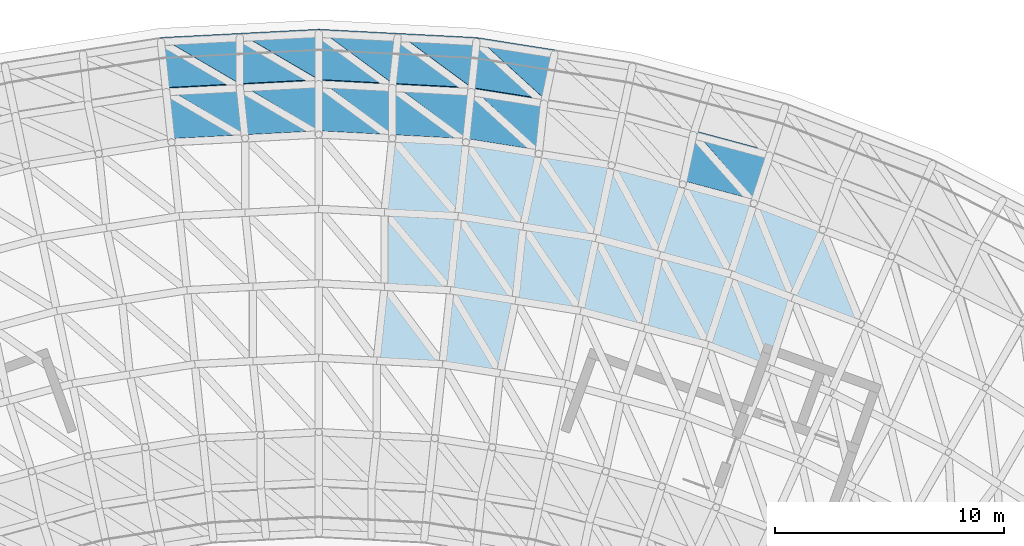
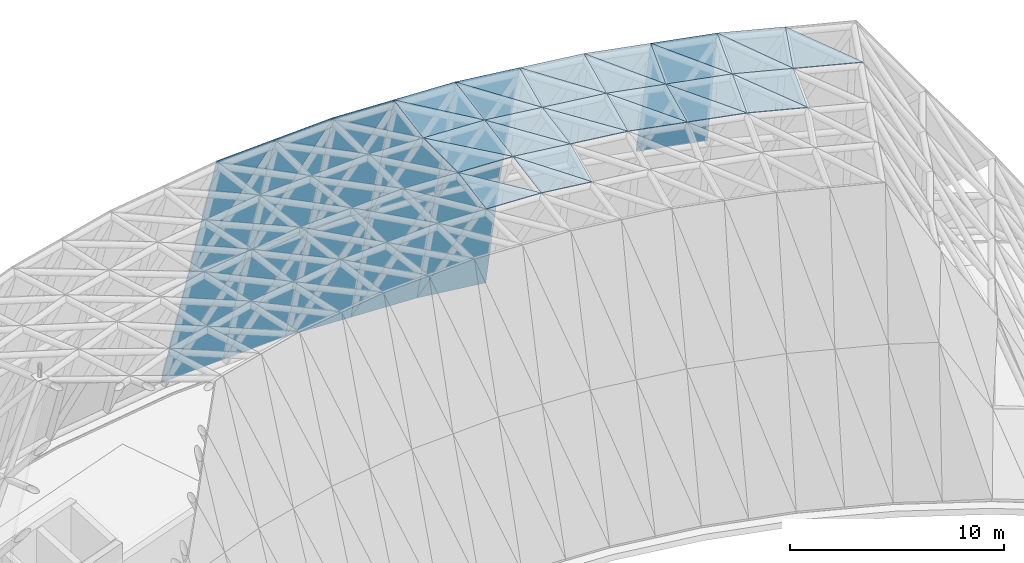
# One storey, part 17 of 20: 50 plates, 23 elements without a shape of their own.
"""IFC4 building model written with IfcOpenShell, lengths in metres."""

from ifc_helpers import new_model, si_unit, direction, frame, origin, place, context, subcontext, project, spatial, polyline, outline, extrude, material, layer, layer_set, type_object, element, aggregate, save


model = new_model("IFC4")

# Units and contexts
model_context = context("Model", 3, precision=1e-05, world=origin(), true_north=direction((0.0, 1.0)))
body_context = subcontext(model_context, "Body", "Model", "MODEL_VIEW")
ifc_project = project(units=[si_unit("LENGTHUNIT", "METRE"), si_unit("AREAUNIT", "SQUARE_METRE"), si_unit("VOLUMEUNIT", "CUBIC_METRE"), si_unit("PLANEANGLEUNIT", "RADIAN"), si_unit("MASSUNIT", "GRAM", prefix="KILO")], contexts=[model_context])

# Site, building, storey
site_placement = place(None, origin())
site = spatial("IfcSite", under=ifc_project, at=site_placement, CompositionType="ELEMENT")
building_placement = place(site_placement, origin())
building = spatial("IfcBuilding", under=site, at=building_placement, Name="Stone Belt Terrace Tower", CompositionType="ELEMENT")
storey_placement = place(building_placement, frame((0.0, 0.0, 337.39990234375)))
storey = spatial("IfcBuildingStorey", under=building, at=storey_placement, Name="RF", CompositionType="ELEMENT", Elevation=337.39990234375)

# Curtain wall, plate
ifc_material_1 = material(Name="Structural steel C345", Category="steel")
ifc_layer_1 = layer(ifc_material_1, 0.324951171875)
ifc_layer_set_1 = layer_set([ifc_layer_1], Name="CW-F glass point curtain wall")
curtain_wall_type = type_object("IfcCurtainWallType", Name="CW-F glass point curtain wall", PredefinedType="NOTDEFINED", material=ifc_layer_set_1)
curtain_wall_1_placement = place(storey_placement, origin())
curtain_wall_1 = element("IfcCurtainWall", 1, at=curtain_wall_1_placement, inside=storey, type_object=curtain_wall_type, Name="CW-F glass point panels 3", PredefinedType="NOTDEFINED")
ifc_material_2 = material(Name="Clear double glazed unit")
ifc_layer_2 = layer(ifc_material_2, 0.044921875)
ifc_layer_set_2 = layer_set([ifc_layer_2], Name="Glass point facet panel 45")
plate_type = type_object("IfcPlateType", Name="Glass point facet panel 45", PredefinedType="CURTAIN_PANEL", material=ifc_layer_set_2)
plate_1_placement = place(storey_placement, frame((-6.906494140625, 65.7373046875, 0.22021484375), z_axis=(-0.0500647954, 0.958386092913, 0.281050908507), x_axis=(0.998637266338, 0.05218817197, -7.0619989e-05)))
plate_1 = element("IfcPlate", 2, at=plate_1_placement, type_object=plate_type, Name="GLASS POINT FACET 161", PredefinedType="CURTAIN_PANEL", context=body_context, shape_type="SweptSolid", body=[
    extrude(outline(polyline([(0.0, 0.0), (3.4571036896955536, 2.791820594150174e-18), (3.341749678788029, -7.817790178854989), (0.0, 0.0)])), origin(), (0.0, 0.0, -1.0), 0.044921875),
])
aggregate(curtain_wall_1, [plate_1])

curtain_wall_2_placement = place(storey_placement, origin())
curtain_wall_2 = element("IfcCurtainWall", 3, at=curtain_wall_2_placement, inside=storey, type_object=curtain_wall_type, Name="CW-F glass point panels 11", PredefinedType="NOTDEFINED")
plate_2_placement = place(storey_placement, frame((0.00390625, 66.09912109375, 0.22021484375), z_axis=(-0.050275002026, 0.958365302055, 0.281084279155), x_axis=(-0.000437148639, -0.281461273924, 0.959572488237)))
plate_2 = element("IfcPlate", 4, at=plate_2_placement, type_object=plate_type, Name="GLASS POINT FACET 162", PredefinedType="CURTAIN_PANEL", context=body_context, shape_type="SweptSolid", body=[
    extrude(outline(polyline([(0.0, 0.0), (7.8187793406386525, 0.0), (0.05233401198933057, -3.4635859767949317), (0.0, 0.0)])), origin(), (0.0, 0.0, -1.0), 0.044921875),
])

curtain_wall_3_placement = place(storey_placement, origin())
curtain_wall_3 = element("IfcCurtainWall", 5, at=curtain_wall_3_placement, inside=storey, type_object=curtain_wall_type, Name="CW-F glass point panels 17", PredefinedType="NOTDEFINED")
plate_3_placement = place(storey_placement, frame((-0.002197265625, 61.655029296875, 15.37255859375), z_axis=(-0.050190232706, 0.958382866955, 0.281039536131), x_axis=(-0.399417180369, 0.238650635697, -0.88516201348)))
plate_3 = element("IfcPlate", 6, at=plate_3_placement, type_object=plate_type, Name="GLASS POINT FACET 163", PredefinedType="CURTAIN_PANEL", context=body_context, shape_type="SweptSolid", body=[
    extrude(outline(polyline([(0.0, 0.0), (8.645409285629084, 0.0), (7.308056934778956, -3.1916834215082623), (0.0, 0.0)])), origin(), (0.0, 0.0, -1.0), 0.044921875),
])
aggregate(curtain_wall_3, [plate_3])

curtain_wall_4_placement = place(storey_placement, origin())
curtain_wall_4 = element("IfcCurtainWall", 7, at=curtain_wall_4_placement, inside=storey, type_object=curtain_wall_type, Name="CW-F glass point panels 24", PredefinedType="NOTDEFINED")
plate_4_placement = place(storey_placement, frame((-3.455078125, 65.91796875, 0.218994140625), z_axis=(-0.050170410191, 0.958383476721, 0.281040996102), x_axis=(0.406385712096, -0.237457875291, 0.882306301953)))
plate_4 = element("IfcPlate", 8, at=plate_4_placement, type_object=plate_type, Name="GLASS POINT FACET 164", PredefinedType="CURTAIN_PANEL", context=body_context, shape_type="SweptSolid", body=[
    extrude(outline(polyline([(0.0, 0.0), (8.503769802949124, 0.0), (7.142335850524054, -3.1814858017968053), (0.0, 0.0)])), origin(), (0.0, 0.0, -1.0), 0.044921875),
])
aggregate(curtain_wall_4, [plate_4])

curtain_wall_5_placement = place(storey_placement, origin())
curtain_wall_5 = element("IfcCurtainWall", 9, at=curtain_wall_5_placement, inside=storey, type_object=curtain_wall_type, Name="CW-F glass point panels 31", PredefinedType="NOTDEFINED")
plate_5_placement = place(storey_placement, frame((-6.90625, 65.737548828125, 0.21923828125), z_axis=(-0.050260288992, 0.958354197315, 0.281124769168), x_axis=(0.40607880338, -0.23755408997, 0.882421701787)))
plate_5 = element("IfcPlate", 10, at=plate_5_placement, type_object=plate_type, Name="GLASS POINT FACET 165", PredefinedType="CURTAIN_PANEL", context=body_context, shape_type="SweptSolid", body=[
    extrude(outline(polyline([(0.0, 0.0), (8.502381040362879, 0.0), (7.232532328568025, -2.9704653145736457), (0.0, 0.0)])), origin(), (0.0, 0.0, -1.0), 0.044921875),
])

curtain_wall_6_placement = place(storey_placement, origin())
curtain_wall_6 = element("IfcCurtainWall", 11, at=curtain_wall_6_placement, inside=storey, type_object=curtain_wall_type, Name="CW-F glass point panels 37", PredefinedType="NOTDEFINED")
plate_6_placement = place(storey_placement, frame((-0.001953125, 61.655517578125, 15.37158203125), z_axis=(-0.050314891361, 0.958369831563, 0.281061697244), x_axis=(-0.998627003622, -0.052384012015, -0.000151398879)))
plate_6 = element("IfcPlate", 12, at=plate_6_placement, type_object=plate_type, Name="GLASS POINT FACET 166", PredefinedType="CURTAIN_PANEL", context=body_context, shape_type="SweptSolid", body=[
    extrude(outline(polyline([(0.0, 0.0), (3.225131218480741, 7.426784881525705e-18), (3.3414748621960073, -7.973496101664088), (0.0, 0.0)])), origin(), (0.0, 0.0, -1.0), 0.044921875),
])
aggregate(curtain_wall_6, [plate_6])

curtain_wall_7_placement = place(storey_placement, origin())
curtain_wall_7 = element("IfcCurtainWall", 13, at=curtain_wall_7_placement, inside=storey, type_object=curtain_wall_type, Name="CW-F glass point panels 43", PredefinedType="NOTDEFINED")
plate_7_placement = place(storey_placement, frame((-6.44775390625, 61.3173828125, 15.37158203125), z_axis=(-0.050214930284, 0.958372931761, 0.281069002994), x_axis=(-0.029083065393, 0.27990154409, -0.959588089194)))
plate_7 = element("IfcPlate", 14, at=plate_7_placement, type_object=plate_type, Name="GLASS POINT FACET 167", PredefinedType="CURTAIN_PANEL", context=body_context, shape_type="SweptSolid", body=[
    extrude(outline(polyline([(0.0, 0.0), (7.97486752576428, 0.0), (-0.04600628977828808, -3.2304239484637836), (0.0, 0.0)])), origin(), (0.0, 0.0, -1.0), 0.044921875),
])

curtain_wall_8_placement = place(storey_placement, origin())
curtain_wall_8 = element("IfcCurtainWall", 15, at=curtain_wall_8_placement, inside=storey, type_object=curtain_wall_type, Name="CW-F glass point panels 48", PredefinedType="NOTDEFINED")
plate_8_placement = place(storey_placement, frame((-3.4541015625, 63.71826171875, 7.719970703125), z_axis=(-0.050261290587, 0.958373295557, 0.28105947597), x_axis=(0.029115613327, -0.279889523699, 0.959590608324)))
plate_8 = element("IfcPlate", 16, at=plate_8_placement, type_object=plate_type, Name="GLASS POINT FACET 168", PredefinedType="CURTAIN_PANEL", context=body_context, shape_type="SweptSolid", body=[
    extrude(outline(polyline([(0.0, 0.0), (7.974337746737739, 0.0), (-0.046574774068107894, -3.2301719344878013), (0.0, 0.0)])), origin(), (0.0, 0.0, -1.0), 0.044921875),
])

curtain_wall_9_placement = place(storey_placement, origin())
curtain_wall_9 = element("IfcCurtainWall", 17, at=curtain_wall_9_placement, inside=storey, type_object=curtain_wall_type, Name="CW-F glass point panels 4", PredefinedType="NOTDEFINED")
plate_9_placement = place(storey_placement, frame((0.002685546875, 66.09912109375, 0.22021484375), z_axis=(0.050374627142, 0.958366811736, 0.28106129421), x_axis=(0.998622504799, -0.052469876322, -7.0618945e-05)))
plate_9 = element("IfcPlate", 18, at=plate_9_placement, type_object=plate_type, Name="GLASS POINT FACET 193", PredefinedType="CURTAIN_PANEL", context=body_context, shape_type="SweptSolid", body=[
    extrude(outline(polyline([(0.0, 0.0), (3.4571547922592125, -8.077306185017008e-18), (3.3417775733003174, -7.817814954370801), (0.0, 0.0)])), origin(), (0.0, 0.0, -1.0), 0.044921875),
])

# Plate
plate_10_placement = place(storey_placement, frame((6.9130859375, 65.736572265625, 0.22021484375), z_axis=(0.050235494494, 0.958368508605, 0.281080409859), x_axis=(-0.029851052009, -0.279869225058, 0.959573932305)))
plate_10 = element("IfcPlate", 19, at=plate_10_placement, type_object=plate_type, Name="GLASS POINT FACET 194", PredefinedType="CURTAIN_PANEL", context=body_context, shape_type="SweptSolid", body=[
    extrude(outline(polyline([(0.0, 0.0), (7.818767574116741, -1.3877787807814457e-17), (0.05226004584058366, -3.463587093616982), (0.0, 0.0)])), origin(), (0.0, 0.0, -1.0), 0.044921875),
])

# Curtain wall, plate
curtain_wall_10_placement = place(storey_placement, origin())
curtain_wall_10 = element("IfcCurtainWall", 20, at=curtain_wall_10_placement, inside=storey, type_object=curtain_wall_type, Name="CW-F glass point panels 18", PredefinedType="NOTDEFINED")
plate_11_placement = place(storey_placement, frame((6.4423828125, 61.317626953125, 15.37255859375), z_axis=(0.050218373008, 0.958385573062, 0.281025280639), x_axis=(-0.372283144603, 0.279064100354, -0.885171445618)))
plate_11 = element("IfcPlate", 21, at=plate_11_placement, type_object=plate_type, Name="GLASS POINT FACET 195", PredefinedType="CURTAIN_PANEL", context=body_context, shape_type="SweptSolid", body=[
    extrude(outline(polyline([(0.0, 0.0), (8.645317162575044, -4.440892098500626e-16), (7.3080079228860955, -3.1917153326363277), (0.0, 0.0)])), origin(), (0.0, 0.0, -1.0), 0.044921875),
])

curtain_wall_11_placement = place(storey_placement, origin())
curtain_wall_11 = element("IfcCurtainWall", 22, at=curtain_wall_11_placement, inside=storey, type_object=curtain_wall_type, Name="CW-F glass point panels 25", PredefinedType="NOTDEFINED")
plate_12_placement = place(storey_placement, frame((3.454345703125, 65.918212890625, 0.218994140625), z_axis=(0.050233777017, 0.958368392787, 0.281081111697), x_axis=(0.379338626442, -0.278654409161, 0.882300360843)))
plate_12 = element("IfcPlate", 23, at=plate_12_placement, type_object=plate_type, Name="GLASS POINT FACET 196", PredefinedType="CURTAIN_PANEL", context=body_context, shape_type="SweptSolid", body=[
    extrude(outline(polyline([(0.0, 0.0), (8.503827064436363, 0.0), (7.142333127055274, -3.1817392151324064), (0.0, 0.0)])), origin(), (0.0, 0.0, -1.0), 0.044921875),
])

# Plate
plate_13_placement = place(storey_placement, frame((0.003173828125, 66.099365234375, 0.21923828125), z_axis=(0.050187894588, 0.95835670389, 0.281129157765), x_axis=(0.379004055241, -0.278703944251, 0.882428488644)))
plate_13 = element("IfcPlate", 24, at=plate_13_placement, type_object=plate_type, Name="GLASS POINT FACET 197", PredefinedType="CURTAIN_PANEL", context=body_context, shape_type="SweptSolid", body=[
    extrude(outline(polyline([(0.0, 0.0), (8.502315647590908, 0.0), (7.2325347112201275, -2.9704803916418108), (0.0, 0.0)])), origin(), (0.0, 0.0, -1.0), 0.044921875),
])

aggregate(curtain_wall_5, [plate_5, plate_13])

# Curtain wall, plate
curtain_wall_12_placement = place(storey_placement, origin())
curtain_wall_12 = element("IfcCurtainWall", 25, at=curtain_wall_12_placement, inside=storey, type_object=curtain_wall_type, Name="CW-F glass point panels 38", PredefinedType="NOTDEFINED")
plate_14_placement = place(storey_placement, frame((6.44287109375, 61.31787109375, 15.37158203125), z_axis=(0.05015339073, 0.958373143893, 0.281079267223), x_axis=(-0.998631167887, 0.052304565831, -0.000151388034)))
plate_14 = element("IfcPlate", 26, at=plate_14_placement, type_object=plate_type, Name="GLASS POINT FACET 198", PredefinedType="CURTAIN_PANEL", context=body_context, shape_type="SweptSolid", body=[
    extrude(outline(polyline([(0.0, 0.0), (3.2253622450428328, 3.0357660829594124e-18), (3.3414614180403746, -7.973538895563637), (0.0, 0.0)])), origin(), (0.0, 0.0, -1.0), 0.044921875),
])

# Plate
plate_15_placement = place(storey_placement, frame((-0.003173828125, 61.6552734375, 15.37158203125), z_axis=(0.050227111017, 0.958365736084, 0.281091360984), x_axis=(0.000336749008, 0.281430329929, -0.959581604657)))
plate_15 = element("IfcPlate", 27, at=plate_15_placement, type_object=plate_type, Name="GLASS POINT FACET 199", PredefinedType="CURTAIN_PANEL", context=body_context, shape_type="SweptSolid", body=[
    extrude(outline(polyline([(0.0, 0.0), (7.974921417297601, -1.3877787807814457e-17), (-0.045991329824827024, -3.2304113841205173), (0.0, 0.0)])), origin(), (0.0, 0.0, -1.0), 0.044921875),
])

aggregate(curtain_wall_7, [plate_7, plate_15])

plate_16_placement = place(storey_placement, frame((3.22509765625, 63.730224609375, 7.719970703125), z_axis=(0.050192477759, 0.95837168877, 0.281077251554), x_axis=(-0.000275540483, -0.281418680243, 0.95958504078)))
plate_16 = element("IfcPlate", 28, at=plate_16_placement, type_object=plate_type, Name="GLASS POINT FACET 200", PredefinedType="CURTAIN_PANEL", context=body_context, shape_type="SweptSolid", body=[
    extrude(outline(polyline([(0.0, 0.0), (7.974384014113482, 1.3877787807814457e-17), (-0.04665552009827259, -3.2299141589206406), (0.0, 0.0)])), origin(), (0.0, 0.0, -1.0), 0.044921875),
])

aggregate(curtain_wall_8, [plate_8, plate_16])

plate_17_placement = place(storey_placement, frame((6.442626953125, 61.318603515625, 15.37060546875), z_axis=(-0.000158265306, -0.00012757235, 0.999999979339), x_axis=(-0.103752278256, -0.994603159165, -0.000143304252)))
plate_17 = element("IfcPlate", 29, at=plate_17_placement, type_object=plate_type, Name="GLASS POINT FACET 202", PredefinedType="CURTAIN_PANEL", context=body_context, shape_type="SweptSolid", body=[
    extrude(outline(polyline([(0.0, 0.0), (3.4073046967504017, -4.99543371645838e-17), (0.16641529856797552, -3.221310346413702), (0.0, 0.0)])), origin(), (0.0, 0.0, -1.0), 0.044921875),
])

plate_18_placement = place(storey_placement, frame((5.74951171875, 54.697509765625, 15.3701171875), z_axis=(0.0, 0.0, 1.0), x_axis=(-0.64555892914, 0.763710461502, 0.0)))
plate_18 = element("IfcPlate", 30, at=plate_18_placement, type_object=plate_type, Name="GLASS POINT FACET 203", PredefinedType="CURTAIN_PANEL", context=body_context, shape_type="SweptSolid", body=[
    extrude(outline(polyline([(0.0, 0.0), (4.455017865420225, 0.0), (2.2503639510970403, -2.347206674267228), (0.0, 0.0)])), origin(), (0.0, 0.0, -1.0), 0.044921875),
])

aggregate(curtain_wall_2, [plate_2, plate_10, plate_18])

# Curtain wall, plate
curtain_wall_13_placement = place(storey_placement, origin())
curtain_wall_13 = element("IfcCurtainWall", 31, at=curtain_wall_13_placement, inside=storey, type_object=curtain_wall_type, Name="CW-F glass point panels 32", PredefinedType="NOTDEFINED")
plate_19_placement = place(storey_placement, frame((3.221923828125, 61.488037109375, 15.3701171875), z_axis=(0.0, 0.0, 1.0), x_axis=(0.627577003639, -0.77855449681, 0.0)))
plate_19 = element("IfcPlate", 32, at=plate_19_placement, type_object=plate_type, Name="GLASS POINT FACET 204", PredefinedType="CURTAIN_PANEL", context=body_context, shape_type="SweptSolid", body=[
    extrude(outline(polyline([(0.0, 0.0), (4.56982952728599, 0.0), (2.4203115953454777, -2.3978183892750886), (0.0, 0.0)])), origin(), (0.0, 0.0, -1.0), 0.044921875),
])

# Plate
plate_20_placement = place(storey_placement, frame((5.750244140625, 54.697998046875, 15.3701171875), z_axis=(0.0, 0.0, 1.0), x_axis=(-0.998626946495, 0.052385319831, 0.0)))
plate_20 = element("IfcPlate", 33, at=plate_20_placement, type_object=plate_type, Name="GLASS POINT FACET 206", PredefinedType="CURTAIN_PANEL", context=body_context, shape_type="SweptSolid", body=[
    extrude(outline(polyline([(0.0, 0.0), (2.880175337967476, 0.0), (3.0505171531126685, -3.2472442139571416), (0.0, 0.0)])), origin(), (0.0, 0.0, -1.0), 0.044921875),
])

plate_21_placement = place(storey_placement, frame((2.8740234375, 54.8505859375, 15.3701171875), z_axis=(0.0, 0.0, 1.0), x_axis=(0.599667473005, -0.800249287298, 0.0)))
plate_21 = element("IfcPlate", 34, at=plate_21_placement, type_object=plate_type, Name="GLASS POINT FACET 212", PredefinedType="CURTAIN_PANEL", context=body_context, shape_type="SweptSolid", body=[
    extrude(outline(polyline([(0.0, 0.0), (4.2296390371431585, 0.0), (2.384122299102036, -2.211216395345812), (0.0, 0.0)])), origin(), (0.0, 0.0, -1.0), 0.044921875),
])

plate_22_placement = place(storey_placement, frame((6.911865234375, 65.736572265625, 0.22021484375), z_axis=(0.150202641582, 0.947857882489, 0.281077571259), x_axis=(0.987679223183, -0.15649200333, -7.0619135e-05)))
plate_22 = element("IfcPlate", 35, at=plate_22_placement, type_object=plate_type, Name="GLASS POINT FACET 225", PredefinedType="CURTAIN_PANEL", context=body_context, shape_type="SweptSolid", body=[
    extrude(outline(polyline([(0.0, 0.0), (3.4571454993728237, -1.0083080204115191e-17), (3.341557716285067, -7.817853773212131), (0.0, 0.0)])), origin(), (0.0, 0.0, -1.0), 0.044921875),
])

aggregate(curtain_wall_9, [plate_9, plate_17, plate_22])

plate_23_placement = place(storey_placement, frame((6.912353515625, 65.73681640625, 0.21923828125), z_axis=(0.150059997068, 0.94786568472, 0.281127446205), x_axis=(0.347793355548, -0.316781398481, 0.882433752422)))
plate_23 = element("IfcPlate", 36, at=plate_23_placement, type_object=plate_type, Name="GLASS POINT FACET 229", PredefinedType="CURTAIN_PANEL", context=body_context, shape_type="SweptSolid", body=[
    extrude(outline(polyline([(0.0, 0.0), (8.50226493069135, 0.0), (7.232554950928423, -2.970419041742362), (0.0, 0.0)])), origin(), (0.0, 0.0, -1.0), 0.044921875),
])

# Curtain wall, plate
curtain_wall_14_placement = place(storey_placement, origin())
curtain_wall_14 = element("IfcCurtainWall", 37, at=curtain_wall_14_placement, inside=storey, type_object=curtain_wall_type, Name="CW-F glass point panels 44", PredefinedType="NOTDEFINED")
plate_24_placement = place(storey_placement, frame((6.441650390625, 61.31787109375, 15.37158203125), z_axis=(0.150092984419, 0.947874890657, 0.281078792673), x_axis=(0.029756488256, 0.279839567028, -0.959585518926)))
plate_24 = element("IfcPlate", 38, at=plate_24_placement, type_object=plate_type, Name="GLASS POINT FACET 231", PredefinedType="CURTAIN_PANEL", context=body_context, shape_type="SweptSolid", body=[
    extrude(outline(polyline([(0.0, 0.0), (7.974888886601445, 2.7755575615628914e-17), (-0.04593544717599449, -3.2303251996008537), (0.0, 0.0)])), origin(), (0.0, 0.0, -1.0), 0.044921875),
])

curtain_wall_15_placement = place(storey_placement, origin())
curtain_wall_15 = element("IfcCurtainWall", 39, at=curtain_wall_15_placement, inside=storey, type_object=curtain_wall_type, Name="CW-F glass point panels 49", PredefinedType="NOTDEFINED")
plate_25_placement = place(storey_placement, frame((9.869140625, 63.0439453125, 7.719970703125), z_axis=(0.150133726782, 0.947873273101, 0.281062488111), x_axis=(-0.029727902928, -0.279828046097, 0.959589764642)))
plate_25 = element("IfcPlate", 40, at=plate_25_placement, type_object=plate_type, Name="GLASS POINT FACET 232", PredefinedType="CURTAIN_PANEL", context=body_context, shape_type="SweptSolid", body=[
    extrude(outline(polyline([(0.0, 0.0), (7.9743447578694475, -5.551115123125783e-17), (-0.046564963881193244, -3.2301131751099157), (0.0, 0.0)])), origin(), (0.0, 0.0, -1.0), 0.044921875),
])

# Plate
plate_26_placement = place(storey_placement, frame((6.441162109375, 61.31884765625, 15.37060546875), z_axis=(0.000148072597, -3.1108691e-05, 0.999999988553), x_axis=(0.987693015, -0.156404876151, -0.000151115822)))
plate_26 = element("IfcPlate", 41, at=plate_26_placement, type_object=plate_type, Name="GLASS POINT FACET 233", PredefinedType="CURTAIN_PANEL", context=body_context, shape_type="SweptSolid", body=[
    extrude(outline(polyline([(0.0, 0.0), (3.231172238268291, 1.4277211818920387e-17), (3.0608044962485788, -3.402505264171871), (0.0, 0.0)])), origin(), (0.0, 0.0, -1.0), 0.044921875),
])

# Curtain wall, plate
curtain_wall_16_placement = place(storey_placement, origin())
curtain_wall_16 = element("IfcCurtainWall", 42, at=curtain_wall_16_placement, inside=storey, type_object=curtain_wall_type, Name="CW-F glass point panels 5", PredefinedType="NOTDEFINED")
plate_27_placement = place(storey_placement, frame((12.81689453125, 60.309326171875, 15.37060546875), z_axis=(-0.000170731601, -0.000110327736, 0.999999979339), x_axis=(-0.207140589406, -0.978311175284, -0.000143300304)))
plate_27 = element("IfcPlate", 43, at=plate_27_placement, type_object=plate_type, Name="GLASS POINT FACET 234", PredefinedType="CURTAIN_PANEL", context=body_context, shape_type="SweptSolid", body=[
    extrude(outline(polyline([(0.0, 0.0), (3.4073985639406894, -2.432436426030995e-17), (0.16626361792812222, -3.22146501669423), (0.0, 0.0)])), origin(), (0.0, 0.0, -1.0), 0.044921875),
])

curtain_wall_17_placement = place(storey_placement, origin())
curtain_wall_17 = element("IfcCurtainWall", 44, at=curtain_wall_17_placement, inside=storey, type_object=curtain_wall_type, Name="CW-F glass point panels 12", PredefinedType="NOTDEFINED")
plate_28_placement = place(storey_placement, frame((11.435546875, 53.796875, 15.3701171875), z_axis=(0.0, 0.0, 1.0), x_axis=(-0.5621766154, 0.827017202419, 0.0)))
plate_28 = element("IfcPlate", 45, at=plate_28_placement, type_object=plate_type, Name="GLASS POINT FACET 235", PredefinedType="CURTAIN_PANEL", context=body_context, shape_type="SweptSolid", body=[
    extrude(outline(polyline([(0.0, 0.0), (4.455252323315495, 0.0), (2.25041822877792, -2.3471795847000587), (0.0, 0.0)])), origin(), (0.0, 0.0, -1.0), 0.044921875),
])

# Plate
plate_29_placement = place(storey_placement, frame((9.631591796875, 60.814453125, 15.3701171875), z_axis=(0.0, 0.0, 1.0), x_axis=(0.542746116716, -0.839896810798, 0.0)))
plate_29 = element("IfcPlate", 46, at=plate_29_placement, type_object=plate_type, Name="GLASS POINT FACET 236", PredefinedType="CURTAIN_PANEL", context=body_context, shape_type="SweptSolid", body=[
    extrude(outline(polyline([(0.0, 0.0), (4.569769424385507, 0.0), (2.4202471035675908, -2.397936441937865), (0.0, 0.0)])), origin(), (0.0, 0.0, -1.0), 0.044921875),
])

aggregate(curtain_wall_13, [plate_19, plate_21, plate_23, plate_29])

# Curtain wall, plate
curtain_wall_18_placement = place(storey_placement, origin())
curtain_wall_18 = element("IfcCurtainWall", 47, at=curtain_wall_18_placement, inside=storey, type_object=curtain_wall_type, Name="CW-F glass point panels 51", PredefinedType="NOTDEFINED")
plate_30_placement = place(storey_placement, frame((6.441650390625, 61.319580078125, 15.37060546875), z_axis=(-2.245386e-05, -0.000141729347, 0.999999989704), x_axis=(0.544268214592, -0.838911258242, -0.000106677423)))
plate_30 = element("IfcPlate", 48, at=plate_30_placement, type_object=plate_type, Name="GLASS POINT FACET 237", PredefinedType="CURTAIN_PANEL", context=body_context, shape_type="SweptSolid", body=[
    extrude(outline(polyline([(0.0, 0.0), (4.577175132978011, 7.560091323811281e-17), (2.65079734510244, -2.141180407029754), (0.0, 0.0)])), origin(), (0.0, 0.0, -1.0), 0.044921875),
])

# Plate
plate_31_placement = place(storey_placement, frame((11.43603515625, 53.79736328125, 15.3701171875), z_axis=(0.0, 0.0, 1.0), x_axis=(-0.987692755785, 0.15640658608, 0.0)))
plate_31 = element("IfcPlate", 49, at=plate_31_placement, type_object=plate_type, Name="GLASS POINT FACET 238", PredefinedType="CURTAIN_PANEL", context=body_context, shape_type="SweptSolid", body=[
    extrude(outline(polyline([(0.0, 0.0), (2.879926379143643, 5.551115123125783e-17), (3.050104535822153, -3.2474814218044794), (0.0, 0.0)])), origin(), (0.0, 0.0, -1.0), 0.044921875),
])

aggregate(curtain_wall_10, [plate_11, plate_20, plate_31])

plate_32_placement = place(storey_placement, frame((5.74853515625, 54.6982421875, 15.3701171875), z_axis=(0.0, 0.0, 1.0), x_axis=(0.104512816502, 0.994523539785, 0.0)))
plate_32 = element("IfcPlate", 50, at=plate_32_placement, type_object=plate_type, Name="GLASS POINT FACET 239", PredefinedType="CURTAIN_PANEL", context=body_context, shape_type="SweptSolid", body=[
    extrude(outline(polyline([(0.0, 0.0), (3.2516944942785915, 5.551115123125783e-17), (-0.150930573579744, -2.8760069387938154), (0.0, 0.0)])), origin(), (0.0, 0.0, -1.0), 0.044921875),
])

plate_33_placement = place(storey_placement, frame((8.932373046875, 57.481201171875, 15.3701171875), z_axis=(0.0, 0.0, 1.0), x_axis=(-0.104505013123, -0.994524359798, 0.0)))
plate_33 = element("IfcPlate", 51, at=plate_33_placement, type_object=plate_type, Name="GLASS POINT FACET 240", PredefinedType="CURTAIN_PANEL", context=body_context, shape_type="SweptSolid", body=[
    extrude(outline(polyline([(0.0, 0.0), (3.2519372979772747, 5.551115123125783e-17), (-0.15071033592109073, -2.8759802405326025), (0.0, 0.0)])), origin(), (0.0, 0.0, -1.0), 0.044921875),
])

plate_34_placement = place(storey_placement, frame((5.748046875, 54.699462890625, 15.3701171875), z_axis=(0.0, 0.0, 1.0), x_axis=(0.987694829334, -0.156393491257, 0.0)))
plate_34 = element("IfcPlate", 52, at=plate_34_placement, type_object=plate_type, Name="GLASS POINT FACET 241", PredefinedType="CURTAIN_PANEL", context=body_context, shape_type="SweptSolid", body=[
    extrude(outline(polyline([(0.0, 0.0), (2.880167515323478, 5.551115123125783e-17), (2.7099340717580063, -3.2474925558297194), (0.0, 0.0)])), origin(), (0.0, 0.0, -1.0), 0.044921875),
])

aggregate(curtain_wall_11, [plate_12, plate_26, plate_34])

plate_35_placement = place(storey_placement, frame((5.748779296875, 54.7001953125, 15.3701171875), z_axis=(0.0, 0.0, 1.0), x_axis=(0.512669617574, -0.858585967284, 0.0)))
plate_35 = element("IfcPlate", 53, at=plate_35_placement, type_object=plate_type, Name="GLASS POINT FACET 245", PredefinedType="CURTAIN_PANEL", context=body_context, shape_type="SweptSolid", body=[
    extrude(outline(polyline([(0.0, 0.0), (4.229735792636149, -2.220446049250313e-16), (2.60263625910494, -1.950160484874772), (0.0, 0.0)])), origin(), (0.0, 0.0, -1.0), 0.044921875),
])

aggregate(curtain_wall_15, [plate_25, plate_35])

# Curtain wall, plate
curtain_wall_19_placement = place(storey_placement, origin())
curtain_wall_19 = element("IfcCurtainWall", 54, at=curtain_wall_19_placement, inside=storey, type_object=curtain_wall_type, Name="CW-F glass point panels 19", PredefinedType="NOTDEFINED")
plate_36_placement = place(storey_placement, frame((19.05029296875, 58.63818359375, 15.37255859375), z_axis=(0.248399967006, 0.926989641786, 0.281047434453), x_axis=(-0.306115396796, 0.350394819506, -0.885164862784)))
plate_36 = element("IfcPlate", 55, at=plate_36_placement, type_object=plate_type, Name="GLASS POINT FACET 259", PredefinedType="CURTAIN_PANEL", context=body_context, shape_type="SweptSolid", body=[
    extrude(outline(polyline([(0.0, 0.0), (8.645381456462422, -4.440892098500626e-16), (7.308098825805964, -3.1916373364378554), (0.0, 0.0)])), origin(), (0.0, 0.0, -1.0), 0.044921875),
])

# Plate
plate_37_placement = place(storey_placement, frame((19.05078125, 58.638427734375, 15.37158203125), z_axis=(0.248255996604, 0.927020748023, 0.281072042161), x_axis=(-0.965950405174, 0.258727253733, -0.00015139102)))
plate_37 = element("IfcPlate", 56, at=plate_37_placement, type_object=plate_type, Name="GLASS POINT FACET 262", PredefinedType="CURTAIN_PANEL", context=body_context, shape_type="SweptSolid", body=[
    extrude(outline(polyline([(0.0, 0.0), (3.2252986270682693, 3.393552799879629e-17), (3.34146551052056, -7.973521302962019), (0.0, 0.0)])), origin(), (0.0, 0.0, -1.0), 0.044921875),
])

aggregate(curtain_wall_12, [plate_14, plate_32, plate_37])

# Curtain wall, plate
curtain_wall_20_placement = place(storey_placement, origin())
curtain_wall_20 = element("IfcCurtainWall", 57, at=curtain_wall_20_placement, inside=storey, type_object=curtain_wall_type, Name="CW-F glass point panels 26", PredefinedType="NOTDEFINED")
plate_38_placement = place(storey_placement, frame((12.8154296875, 60.309814453125, 15.37060546875), z_axis=(0.00014400992, -4.6416689e-05, 0.999999988553), x_axis=(0.965934550661, -0.258786438987, -0.000151116169)))
plate_38 = element("IfcPlate", 58, at=plate_38_placement, type_object=plate_type, Name="GLASS POINT FACET 265", PredefinedType="CURTAIN_PANEL", context=body_context, shape_type="SweptSolid", body=[
    extrude(outline(polyline([(0.0, 0.0), (3.231164831887405, 3.285342024762177e-17), (3.0607633844386855, -3.402687403983816), (0.0, 0.0)])), origin(), (0.0, 0.0, -1.0), 0.044921875),
])

# Plate
plate_39_placement = place(storey_placement, frame((19.05078125, 58.63916015625, 15.37060546875), z_axis=(-0.000181324367, -9.1883899e-05, 0.999999979339), x_axis=(-0.308241852899, -0.951308015096, -0.000143301652)))
plate_39 = element("IfcPlate", 59, at=plate_39_placement, type_object=plate_type, Name="GLASS POINT FACET 266", PredefinedType="CURTAIN_PANEL", context=body_context, shape_type="SweptSolid", body=[
    extrude(outline(polyline([(0.0, 0.0), (3.4073665171399767, 1.5644069878521387e-16), (0.1661664168768981, -3.221614161674113), (0.0, 0.0)])), origin(), (0.0, 0.0, -1.0), 0.044921875),
])

aggregate(curtain_wall_16, [plate_27, plate_39])

plate_40_placement = place(storey_placement, frame((16.99609375, 52.306884765625, 15.3701171875), z_axis=(0.0, 0.0, 1.0), x_axis=(-0.472654763173, 0.881247680763, 0.0)))
plate_40 = element("IfcPlate", 60, at=plate_40_placement, type_object=plate_type, Name="GLASS POINT FACET 267", PredefinedType="CURTAIN_PANEL", context=body_context, shape_type="SweptSolid", body=[
    extrude(outline(polyline([(0.0, 0.0), (4.455075997732977, 2.220446049250313e-16), (2.2503216228041243, -2.347249350373391), (0.0, 0.0)])), origin(), (0.0, 0.0, -1.0), 0.044921875),
])

aggregate(curtain_wall_17, [plate_28, plate_40])

# Curtain wall, plate
curtain_wall_21_placement = place(storey_placement, origin())
curtain_wall_21 = element("IfcCurtainWall", 61, at=curtain_wall_21_placement, inside=storey, type_object=curtain_wall_type, Name="CW-F glass point panels 33", PredefinedType="NOTDEFINED")
plate_41_placement = place(storey_placement, frame((15.935546875, 59.474365234375, 15.3701171875), z_axis=(0.0, 0.0, 1.0), x_axis=(0.452036779547, -0.891999299292, 0.0)))
plate_41 = element("IfcPlate", 62, at=plate_41_placement, type_object=plate_type, Name="GLASS POINT FACET 268", PredefinedType="CURTAIN_PANEL", context=body_context, shape_type="SweptSolid", body=[
    extrude(outline(polyline([(0.0, 0.0), (4.5697030011524395, 0.0), (2.4201214054530586, -2.3978782975844974), (0.0, 0.0)])), origin(), (0.0, 0.0, -1.0), 0.044921875),
])

# Plate
plate_42_placement = place(storey_placement, frame((12.81591796875, 60.310302734375, 15.37060546875), z_axis=(-3.7135483e-05, -0.000138604269, 0.999999989705), x_axis=(0.453602935307, -0.891203885596, -0.0001066799)))
plate_42 = element("IfcPlate", 63, at=plate_42_placement, type_object=plate_type, Name="GLASS POINT FACET 269", PredefinedType="CURTAIN_PANEL", context=body_context, shape_type="SweptSolid", body=[
    extrude(outline(polyline([(0.0, 0.0), (4.5770688710297485, 1.4545420500329276e-16), (2.650884566697982, -2.1412154797758447), (0.0, 0.0)])), origin(), (0.0, 0.0, -1.0), 0.044921875),
])

plate_43_placement = place(storey_placement, frame((16.996826171875, 52.30712890625, 15.3701171875), z_axis=(0.0, 0.0, 1.0), x_axis=(-0.965910588907, 0.258875905092, 0.0)))
plate_43 = element("IfcPlate", 64, at=plate_43_placement, type_object=plate_type, Name="GLASS POINT FACET 270", PredefinedType="CURTAIN_PANEL", context=body_context, shape_type="SweptSolid", body=[
    extrude(outline(polyline([(0.0, 0.0), (2.880165570006592, 0.0), (3.050582774804835, -3.247243782588157), (0.0, 0.0)])), origin(), (0.0, 0.0, -1.0), 0.044921875),
])

aggregate(curtain_wall_19, [plate_36, plate_43])

# Curtain wall, plate
curtain_wall_22_placement = place(storey_placement, origin())
curtain_wall_22 = element("IfcCurtainWall", 65, at=curtain_wall_22_placement, inside=storey, type_object=curtain_wall_type, Name="CW-F glass point panels 39", PredefinedType="NOTDEFINED")
plate_44_placement = place(storey_placement, frame((11.4345703125, 53.797607421875, 15.3701171875), z_axis=(0.0, 0.0, 1.0), x_axis=(0.20788299888, 0.978153698954, 0.0)))
plate_44 = element("IfcPlate", 66, at=plate_44_placement, type_object=plate_type, Name="GLASS POINT FACET 271", PredefinedType="CURTAIN_PANEL", context=body_context, shape_type="SweptSolid", body=[
    extrude(outline(polyline([(0.0, 0.0), (3.2519513104407944, -1.1102230246251565e-16), (-0.15075109147270005, -2.876154344520743), (0.0, 0.0)])), origin(), (0.0, 0.0, -1.0), 0.044921875),
])

# Plate
plate_45_placement = place(storey_placement, frame((14.891845703125, 56.232666015625, 15.3701171875), z_axis=(0.0, 0.0, 1.0), x_axis=(-0.20788299888, -0.978153698954, 0.0)))
plate_45 = element("IfcPlate", 67, at=plate_45_placement, type_object=plate_type, Name="GLASS POINT FACET 272", PredefinedType="CURTAIN_PANEL", context=body_context, shape_type="SweptSolid", body=[
    extrude(outline(polyline([(0.0, 0.0), (3.2519513104407944, -1.1102230246251565e-16), (-0.15075109147270005, -2.876154344520743), (0.0, 0.0)])), origin(), (0.0, 0.0, -1.0), 0.044921875),
])

aggregate(curtain_wall_14, [plate_24, plate_33, plate_45])

plate_46_placement = place(storey_placement, frame((19.04931640625, 58.6396484375, 15.37060546875), z_axis=(0.000138371008, -6.1216323e-05, 0.999999988553), x_axis=(0.933606299935, -0.358300507793, -0.000151117886)))
plate_46 = element("IfcPlate", 68, at=plate_46_placement, type_object=plate_type, Name="GLASS POINT FACET 297", PredefinedType="CURTAIN_PANEL", context=body_context, shape_type="SweptSolid", body=[
    extrude(outline(polyline([(0.0, 0.0), (3.231128113327466, 1.4539333774509866e-16), (3.0605934236357366, -3.4027461978311253), (0.0, 0.0)])), origin(), (0.0, 0.0, -1.0), 0.044921875),
])

aggregate(curtain_wall_20, [plate_38, plate_46])

plate_47_placement = place(storey_placement, frame((22.065185546875, 57.48291015625, 15.3701171875), z_axis=(0.0, 0.0, 1.0), x_axis=(0.371254732751, -0.928531056783, 0.0)))
plate_47 = element("IfcPlate", 69, at=plate_47_placement, type_object=plate_type, Name="GLASS POINT FACET 300", PredefinedType="CURTAIN_PANEL", context=body_context, shape_type="SweptSolid", body=[
    extrude(outline(polyline([(0.0, 0.0), (4.6446956287809025, 0.0), (2.381301056040885, -2.4366306752852385), (0.0, 0.0)])), origin(), (0.0, 0.0, -1.0), 0.044921875),
])

aggregate(curtain_wall_21, [plate_41, plate_47])

plate_48_placement = place(storey_placement, frame((19.050048828125, 58.64013671875, 15.37060546875), z_axis=(-5.1431554e-05, -0.000133967764, 0.999999989704), x_axis=(0.357924382602, -0.933750568919, -0.00010668387)))
plate_48 = element("IfcPlate", 70, at=plate_48_placement, type_object=plate_type, Name="GLASS POINT FACET 301", PredefinedType="CURTAIN_PANEL", context=body_context, shape_type="SweptSolid", body=[
    extrude(outline(polyline([(0.0, 0.0), (4.576898566787934, -2.3875172100469154e-17), (2.65069772914426, -2.141135453166), (0.0, 0.0)])), origin(), (0.0, 0.0, -1.0), 0.044921875),
])

aggregate(curtain_wall_18, [plate_30, plate_42, plate_48])

plate_49_placement = place(storey_placement, frame((16.9951171875, 52.3076171875, 15.3701171875), z_axis=(0.0, 0.0, 1.0), x_axis=(0.30901137769, 0.951058341248, 0.0)))
plate_49 = element("IfcPlate", 71, at=plate_49_placement, type_object=plate_type, Name="GLASS POINT FACET 303", PredefinedType="CURTAIN_PANEL", context=body_context, shape_type="SweptSolid", body=[
    extrude(outline(polyline([(0.0, 0.0), (3.2519281976334407, 0.0), (-0.15055475941845597, -2.876256753907569), (0.0, 0.0)])), origin(), (0.0, 0.0, -1.0), 0.044921875),
])

aggregate(curtain_wall_22, [plate_44, plate_49])

# Curtain wall, plate
curtain_wall_23_placement = place(storey_placement, origin())
curtain_wall_23 = element("IfcCurtainWall", 72, at=curtain_wall_23_placement, inside=storey, type_object=curtain_wall_type, Name="CW-F glass point panels 45", PredefinedType="NOTDEFINED")
plate_50_placement = place(storey_placement, frame((20.688232421875, 54.367919921875, 15.3701171875), z_axis=(0.0, 0.0, 1.0), x_axis=(-0.30901137769, -0.951058341248, 0.0)))
plate_50 = element("IfcPlate", 73, at=plate_50_placement, type_object=plate_type, Name="GLASS POINT FACET 304", PredefinedType="CURTAIN_PANEL", context=body_context, shape_type="SweptSolid", body=[
    extrude(outline(polyline([(0.0, 0.0), (3.2519281976334407, 0.0), (-0.15063020164933738, -2.876024561929725), (0.0, 0.0)])), origin(), (0.0, 0.0, -1.0), 0.044921875),
])
aggregate(curtain_wall_23, [plate_50])

save(model, "model.ifc")
